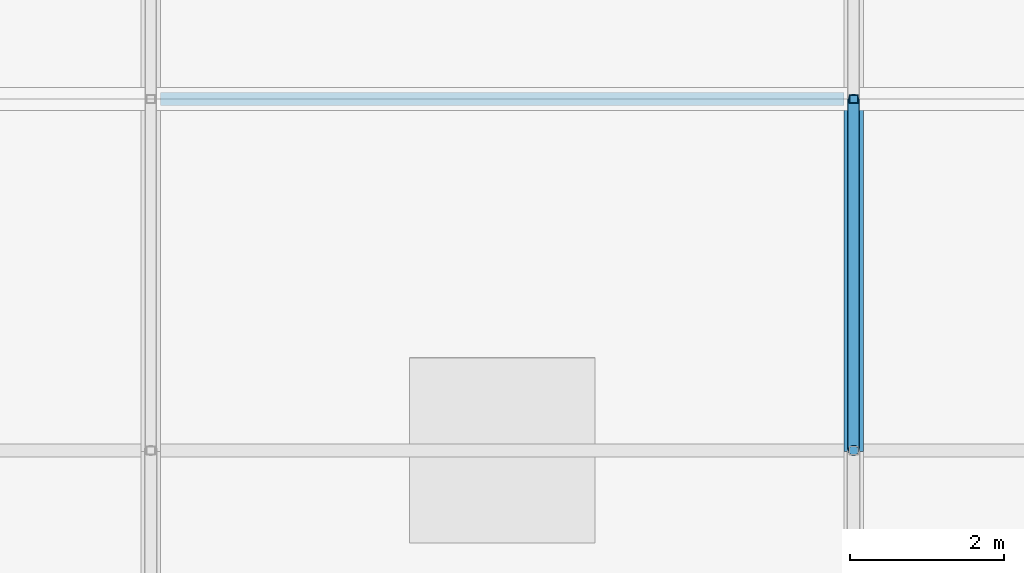
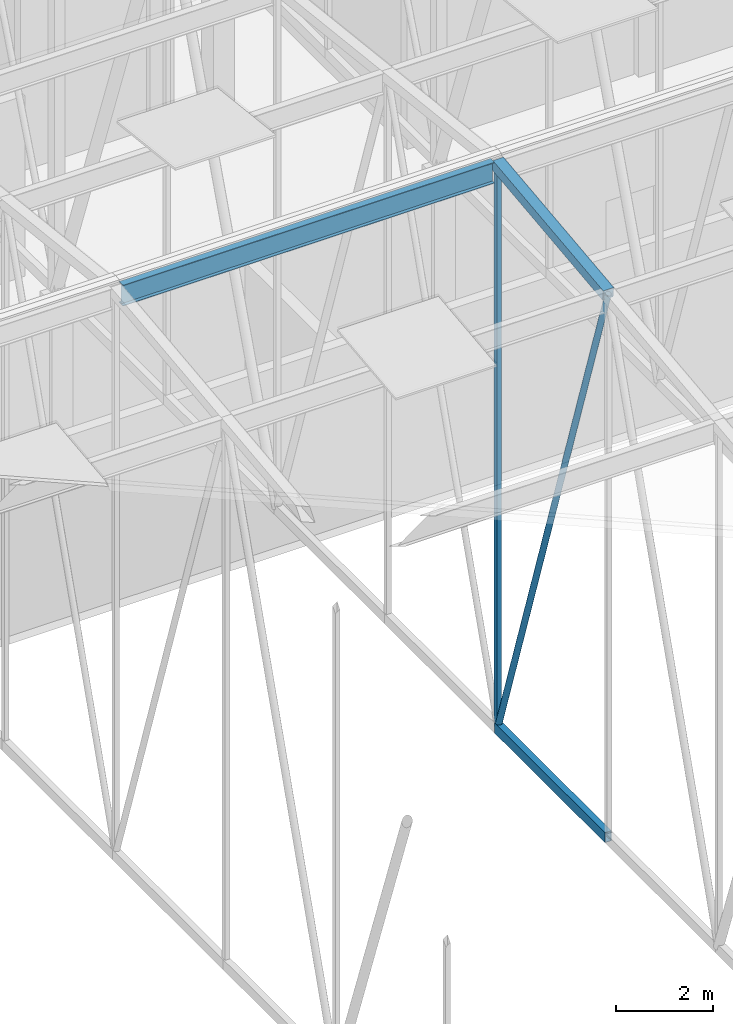
# One storey, part 166 of 500: 5 members.
"""IFC4 building model written with IfcOpenShell, lengths in metres."""

from ifc_helpers import new_model, si_unit, direction, frame, origin, origin_2d, place, context, subcontext, project, spatial, hollow_rectangle, hollow_circle, i_section, extrude, material, material_profile, profile_set, type_object, element, save


model = new_model("IFC4")

# Units and contexts
model_context = context("Model", 3, precision=1e-05, world=origin(), true_north=direction((0.0, 1.0)))
body_context = subcontext(model_context, "Body", "Model", "MODEL_VIEW")
ifc_project = project(units=[si_unit("LENGTHUNIT", "METRE"), si_unit("AREAUNIT", "SQUARE_METRE"), si_unit("VOLUMEUNIT", "CUBIC_METRE"), si_unit("PLANEANGLEUNIT", "RADIAN"), si_unit("MASSUNIT", "GRAM", prefix="KILO")], contexts=[model_context])

# Site, building, storey
site_placement = place(None, origin())
site = spatial("IfcSite", under=ifc_project, at=site_placement, CompositionType="ELEMENT")
building_placement = place(site_placement, origin())
building = spatial("IfcBuilding", under=site, at=building_placement, Name="Shirokan Park Arena", CompositionType="ELEMENT")
storey_placement = place(building_placement, frame((0.0, 0.0, 29.1201171875)))
storey = spatial("IfcBuildingStorey", under=building, at=storey_placement, Name="L06", CompositionType="ELEMENT", Elevation=29.1201171875)

# Members
ifc_material_1 = material(Name="Steel ASTM A500 Grade C", Category="steel")
ifc_material_profile_1 = material_profile(ifc_material_1, hollow_rectangle(XDim=0.152099609375, YDim=0.25390625, WallThickness=0.009521484375, at=origin_2d()), Name="HSS254X152.4X9.5")
ifc_profile_set_1 = profile_set([ifc_material_profile_1], Name="Steel ASTM A500 Grade C")
member_type_1 = type_object("IfcMemberType", Name="Bottom chord HSS254X152.4X9.5", PredefinedType="CHORD", material=ifc_profile_set_1)
member_1_placement = place(storey_placement, frame((118.300048828125, 50.050048828125, 4.677001953125), z_axis=(0.0, 1.0, 0.0), x_axis=(-1.0, 0.0, 0.0)))
element("IfcMember", 1, at=member_1_placement, inside=storey, type_object=member_type_1, Name="Truss T14 bottom chord 14", PredefinedType="CHORD", context=body_context, shape_type="SweptSolid", body=[
    extrude(hollow_rectangle(XDim=0.152099609375, YDim=0.25390625, WallThickness=0.009521484375, at=origin_2d()), origin(), (0.0, 0.0, 1.0), 4.550048828125),
])
ifc_material_2 = material(Name="Steel ASTM A992", Category="steel")
ifc_material_profile_2 = material_profile(ifc_material_2, i_section(OverallWidth=0.166015625, OverallDepth=0.528076171875, WebThickness=0.009765625, FlangeThickness=0.013671875, at=origin_2d()), Name="W530X74")
ifc_profile_set_2 = profile_set([ifc_material_profile_2], Name="Steel ASTM A992")
member_type_2 = type_object("IfcMemberType", Name="Purlin W530X74", PredefinedType="PURLIN", material=ifc_profile_set_2)
member_2_placement = place(storey_placement, frame((109.326904296875, 54.60009765625, 18.725830078125), z_axis=(1.0, 0.0, 0.0), x_axis=(0.0, 1.0, 0.0)))
element("IfcMember", 2, at=member_2_placement, inside=storey, type_object=member_type_2, Name="Purlin 15 bay 13", PredefinedType="PURLIN", context=body_context, shape_type="SweptSolid", body=[
    extrude(i_section(OverallWidth=0.166015625, OverallDepth=0.528076171875, WebThickness=0.009765625, FlangeThickness=0.013671875, at=origin_2d()), origin(), (0.0, 0.0, 1.0), 8.84619140625),
])
ifc_material_profile_3 = material_profile(ifc_material_1, hollow_rectangle(XDim=0.25390625, YDim=0.25390625, WallThickness=0.009521484375, at=origin_2d()), Name="HSS254X254X9.5")
ifc_profile_set_3 = profile_set([ifc_material_profile_3], Name="Steel ASTM A500 Grade C")
member_type_3 = type_object("IfcMemberType", Name="Top chord HSS254X254X9.5", PredefinedType="CHORD", material=ifc_profile_set_3)
member_3_placement = place(storey_placement, frame((118.300048828125, 50.050048828125, 18.3427734375), z_axis=(0.0, 0.993532328996, 0.113549598152), x_axis=(-1.0, 0.0, 0.0)))
element("IfcMember", 3, at=member_3_placement, inside=storey, type_object=member_type_3, Name="Truss T14 top chord 14", PredefinedType="CHORD", context=body_context, shape_type="SweptSolid", body=[
    extrude(hollow_rectangle(XDim=0.25390625, YDim=0.25390625, WallThickness=0.009521484375, at=origin_2d()), origin(), (0.0, 0.0, 1.0), 4.57958984375),
])
ifc_material_profile_4 = material_profile(ifc_material_1, hollow_circle(Radius=0.070556640625, WallThickness=0.006591796875, at=origin_2d()), Name="HSS141.3X6.6")
ifc_profile_set_4 = profile_set([ifc_material_profile_4], Name="Steel ASTM A500 Grade C")
member_type_4 = type_object("IfcMemberType", Name="Truss diagonal HSS141.3X6.6", PredefinedType="BRACE", material=ifc_profile_set_4)
member_4_placement = place(storey_placement, frame((118.300048828125, 50.050048828125, 18.3427734375), z_axis=(0.0, 0.315902302102, -0.948791723998), x_axis=(-1.0, 0.0, 0.0)))
element("IfcMember", 4, at=member_4_placement, inside=storey, type_object=member_type_4, Name="Truss T14 diagonal 14", PredefinedType="BRACE", context=body_context, shape_type="SweptSolid", body=[
    extrude(hollow_circle(Radius=0.070556640625, WallThickness=0.006591796875, at=origin_2d()), origin(), (0.0, 0.0, 1.0), 14.4033203125),
])
ifc_material_profile_5 = material_profile(ifc_material_1, hollow_rectangle(XDim=0.114013671875, YDim=0.114013671875, WallThickness=0.00634765625, at=origin_2d()), Name="HSS114.3X114.3X6.4")
ifc_profile_set_5 = profile_set([ifc_material_profile_5], Name="Steel ASTM A500 Grade C")
member_type_5 = type_object("IfcMemberType", Name="Truss post HSS114.3X114.3X6.4", PredefinedType="POST", material=ifc_profile_set_5)
member_5_placement = place(storey_placement, frame((118.300048828125, 54.60009765625, 4.677001953125), z_axis=(0.0, 0.0, 1.0), x_axis=(1.0, 0.0, 0.0)))
element("IfcMember", 5, at=member_5_placement, inside=storey, type_object=member_type_5, Name="Truss T14 post 15", PredefinedType="POST", context=body_context, shape_type="SweptSolid", body=[
    extrude(hollow_rectangle(XDim=0.114013671875, YDim=0.114013671875, WallThickness=0.00634765625, at=origin_2d()), origin(), (0.0, 0.0, 1.0), 14.185791015625),
])

save(model, "model.ifc")
